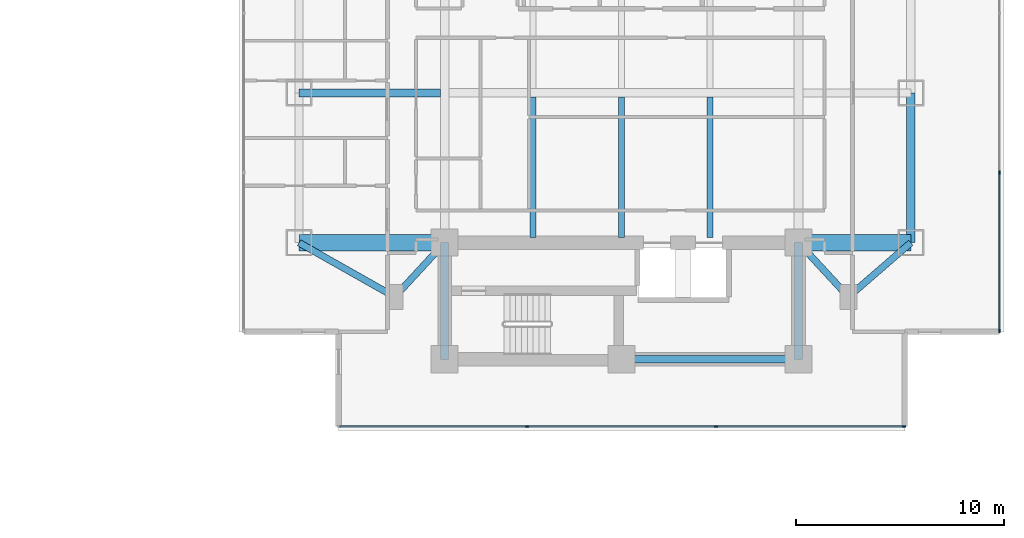
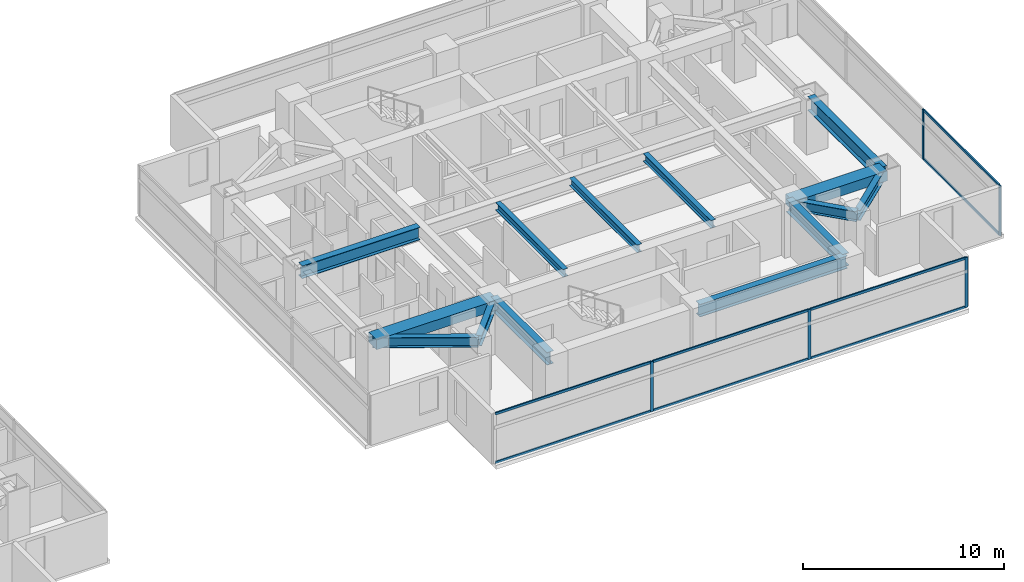
# One storey, part 8 of 24: 14 beams, 13 members, 2 elements without a shape of their own.
"""IFC4 building model written with IfcOpenShell, lengths in metres."""

from ifc_helpers import new_model, si_unit, direction, frame, origin, origin_2d, place, context, subcontext, project, spatial, rectangle, i_section, extrude, material, material_profile, profile_set, type_object, element, aggregate, save


model = new_model("IFC4")

# Units and contexts
model_context = context("Model", 3, precision=1e-05, world=origin(), true_north=direction((0.0, 1.0)))
body_context = subcontext(model_context, "Body", "Model", "MODEL_VIEW")
ifc_project = project(units=[si_unit("LENGTHUNIT", "METRE"), si_unit("AREAUNIT", "SQUARE_METRE"), si_unit("VOLUMEUNIT", "CUBIC_METRE"), si_unit("PLANEANGLEUNIT", "RADIAN"), si_unit("MASSUNIT", "GRAM", prefix="KILO")], contexts=[model_context])

# Site, building, storey
site_placement = place(None, origin())
site = spatial("IfcSite", under=ifc_project, at=site_placement, CompositionType="ELEMENT")
building_placement = place(site_placement, origin())
building = spatial("IfcBuilding", under=site, at=building_placement, Name="Mirazonda Arch Towers", CompositionType="ELEMENT")
storey_placement = place(building_placement, frame((0.0, 0.0, 62.0)))
storey = spatial("IfcBuildingStorey", under=building, at=storey_placement, Name="L17", CompositionType="ELEMENT", Elevation=62.0)

# Beams
ifc_material_1 = material(Name="Steel ASTM A992 Grade 50", Category="steel")
ifc_material_profile_1 = material_profile(ifc_material_1, i_section(OverallWidth=0.39990234375, OverallDepth=0.85595703125, WebThickness=0.018310546875, FlangeThickness=0.029296875, at=origin_2d()), Name="W33X201")
ifc_profile_set_1 = profile_set([ifc_material_profile_1], Name="Steel ASTM A992 Grade 50")
beam_type_1 = type_object("IfcBeamType", Name="BM-EXT-W33X201", PredefinedType="USERDEFINED", material=ifc_profile_set_1)
beam_1_placement = place(storey_placement, frame((90.39990234375, 20.800048828125, 2.632080078125), z_axis=(0.0, 1.0, 0.0), x_axis=(-1.0, 0.0, 0.0)))
element("IfcBeam", 1, at=beam_1_placement, inside=storey, type_object=beam_type_1, Name="L17 Floor Beam BM-T2-L17-NS-E-20", ObjectType="GIRDER", PredefinedType="USERDEFINED", context=body_context, shape_type="SweptSolid", body=[
    extrude(i_section(OverallWidth=0.39990234375, OverallDepth=0.85595703125, WebThickness=0.018310546875, FlangeThickness=0.029296875, at=origin_2d()), origin(), (0.0, 0.0, 1.0), 7.199951171875),
])
ifc_material_profile_2 = material_profile(ifc_material_1, i_section(OverallWidth=0.280029296875, OverallDepth=0.462890625, WebThickness=0.0107421875, FlangeThickness=0.017333984375, at=origin_2d()), Name="W18X76")
ifc_profile_set_2 = profile_set([ifc_material_profile_2], Name="Steel ASTM A992 Grade 50")
beam_type_2 = type_object("IfcBeamType", Name="BM-INT-W18X76", PredefinedType="JOIST", material=ifc_profile_set_2)
for number, where, z_axis, x_axis, name in (
    (2, (72.25, 21.0400390625, 2.82861328125), (0.0, 1.0, 0.0), (-1.0, 0.0, 0.0), "L17 Floor Beam BM-T2-L17-J-722-20"),
    (3, (76.5, 21.0400390625, 2.82861328125), (0.0, 1.0, 0.0), (-1.0, 0.0, 0.0), "L17 Floor Beam BM-T2-L17-J-765-20"),
    (4, (80.75, 21.0400390625, 2.82861328125), (0.0, 1.0, 0.0), (-1.0, 0.0, 0.0), "L17 Floor Beam BM-T2-L17-J-807-20"),
):
    element("IfcBeam", number, at=place(storey_placement, frame(where, z_axis=z_axis, x_axis=x_axis)), inside=storey, type_object=beam_type_2, Name=name, PredefinedType="JOIST", context=body_context, shape_type="SweptSolid", body=[
        extrude(i_section(OverallWidth=0.280029296875, OverallDepth=0.462890625, WebThickness=0.0107421875, FlangeThickness=0.017333984375, at=origin_2d()), origin(), (0.0, 0.0, 1.0), 6.7548828125),
    ])
ifc_material_profile_3 = material_profile(ifc_material_1, i_section(OverallWidth=0.324951171875, OverallDepth=0.615966796875, WebThickness=0.013916015625, FlangeThickness=0.021484375, at=origin_2d()), Name="W24X117")
ifc_profile_set_3 = profile_set([ifc_material_profile_3], Name="Steel ASTM A992 Grade 50")
beam_type_3 = type_object("IfcBeamType", Name="BM-INT-W24X117", PredefinedType="BEAM", material=ifc_profile_set_3)
beam_2_placement = place(storey_placement, frame((65.60009765625, 18.199951171875, 2.751953125), z_axis=(0.678251444854, 0.734829897019, 0.0), x_axis=(-0.734829897019, 0.678251444854, 0.0)))
element("IfcBeam", 5, at=beam_2_placement, inside=storey, type_object=beam_type_3, Name="L17 Floor Beam BM-T2-L17-PL-SW1", PredefinedType="BEAM", context=body_context, shape_type="SweptSolid", body=[
    extrude(i_section(OverallWidth=0.324951171875, OverallDepth=0.615966796875, WebThickness=0.013916015625, FlangeThickness=0.021484375, at=origin_2d()), origin(), (0.0, 0.0, 1.0), 3.538330078125),
])
beam_3_placement = place(storey_placement, frame((65.60009765625, 18.199951171875, 2.751953125), z_axis=(-0.870559396632, 0.492063346467, 0.0), x_axis=(-0.492063346467, -0.870559396632, 0.0)))
element("IfcBeam", 6, at=beam_3_placement, inside=storey, type_object=beam_type_3, Name="L17 Floor Beam BM-T2-L17-PL-SW2", PredefinedType="BEAM", context=body_context, shape_type="SweptSolid", body=[
    extrude(i_section(OverallWidth=0.324951171875, OverallDepth=0.615966796875, WebThickness=0.013916015625, FlangeThickness=0.021484375, at=origin_2d()), origin(), (0.0, 0.0, 1.0), 5.2841796875),
])
beam_4_placement = place(storey_placement, frame((87.39990234375, 18.199951171875, 2.751953125), z_axis=(-0.678251444854, 0.734829897019, 0.0), x_axis=(-0.734829897019, -0.678251444854, 0.0)))
element("IfcBeam", 7, at=beam_4_placement, inside=storey, type_object=beam_type_3, Name="L17 Floor Beam BM-T2-L17-PL-SE1", PredefinedType="BEAM", context=body_context, shape_type="SweptSolid", body=[
    extrude(i_section(OverallWidth=0.324951171875, OverallDepth=0.615966796875, WebThickness=0.013916015625, FlangeThickness=0.021484375, at=origin_2d()), origin(), (0.0, 0.0, 1.0), 3.538330078125),
])
beam_5_placement = place(storey_placement, frame((87.39990234375, 18.199951171875, 2.751953125), z_axis=(0.755676908098, 0.654944585876, 0.0), x_axis=(-0.654944585876, 0.755676908098, 0.0)))
element("IfcBeam", 8, at=beam_5_placement, inside=storey, type_object=beam_type_3, Name="L17 Floor Beam BM-T2-L17-PL-SE2", PredefinedType="BEAM", context=body_context, shape_type="SweptSolid", body=[
    extrude(i_section(OverallWidth=0.324951171875, OverallDepth=0.615966796875, WebThickness=0.013916015625, FlangeThickness=0.021484375, at=origin_2d()), origin(), (0.0, 0.0, 1.0), 3.969970703125),
])
ifc_material_profile_4 = material_profile(ifc_material_1, i_section(OverallWidth=0.381103515625, OverallDepth=0.77294921875, WebThickness=0.0166015625, FlangeThickness=0.027099609375, at=origin_2d()), Name="W30X173")
ifc_profile_set_4 = profile_set([ifc_material_profile_4], Name="Steel ASTM A992 Grade 50")
beam_type_4 = type_object("IfcBeamType", Name="BM-INT-W30X173", PredefinedType="USERDEFINED", material=ifc_profile_set_4)
beam_6_placement = place(storey_placement, frame((76.5, 15.199951171875, 2.673583984375), z_axis=(1.0, 0.0, 0.0), x_axis=(0.0, 1.0, 0.0)))
element("IfcBeam", 9, at=beam_6_placement, inside=storey, type_object=beam_type_4, Name="L17 Floor Beam BM-T2-L17-CS2", ObjectType="GIRDER", PredefinedType="USERDEFINED", context=body_context, shape_type="SweptSolid", body=[
    extrude(i_section(OverallWidth=0.381103515625, OverallDepth=0.77294921875, WebThickness=0.0166015625, FlangeThickness=0.027099609375, at=origin_2d()), origin(), (0.0, 0.0, 1.0), 8.5),
])
for number, where, z_axis, x_axis, name in (
    (10, (68.0, 15.199951171875, 2.673583984375), (0.0, 1.0, 0.0), (-1.0, 0.0, 0.0), "L17 Floor Beam BM-T2-L17-CSW"),
    (11, (85.0, 15.199951171875, 2.673583984375), (0.0, 1.0, 0.0), (-1.0, 0.0, 0.0), "L17 Floor Beam BM-T2-L17-CSE"),
):
    element("IfcBeam", number, at=place(storey_placement, frame(where, z_axis=z_axis, x_axis=x_axis)), inside=storey, type_object=beam_type_4, Name=name, ObjectType="GIRDER", PredefinedType="USERDEFINED", context=body_context, shape_type="SweptSolid", body=[
        extrude(i_section(OverallWidth=0.381103515625, OverallDepth=0.77294921875, WebThickness=0.0166015625, FlangeThickness=0.027099609375, at=origin_2d()), origin(), (0.0, 0.0, 1.0), 5.60009765625),
    ])
beam_7_placement = place(storey_placement, frame((61.0, 28.0, 2.673583984375), z_axis=(1.0, 0.0, 0.0), x_axis=(0.0, 1.0, 0.0)))
element("IfcBeam", 12, at=beam_7_placement, inside=storey, type_object=beam_type_4, Name="L17 Floor Beam BM-T2-L17-GW2", ObjectType="GIRDER", PredefinedType="USERDEFINED", context=body_context, shape_type="SweptSolid", body=[
    extrude(i_section(OverallWidth=0.381103515625, OverallDepth=0.77294921875, WebThickness=0.0166015625, FlangeThickness=0.027099609375, at=origin_2d()), origin(), (0.0, 0.0, 1.0), 6.791015625),
])
ifc_material_2 = material(Name="Concrete C60/75", Category="concrete")
ifc_material_profile_5 = material_profile(ifc_material_2, rectangle(XDim=0.800048828125, YDim=0.60009765625, at=origin_2d()), Name="RCCB800x600")
ifc_profile_set_5 = profile_set([ifc_material_profile_5], Name="Concrete C60/75")
beam_type_5 = type_object("IfcBeamType", Name="CB-INT-RCCB800x600", PredefinedType="SPANDREL", material=ifc_profile_set_5)
beam_8_placement = place(storey_placement, frame((61.0, 20.800048828125, 2.760009765625), z_axis=(1.0, 0.0, 0.0), x_axis=(0.0, 1.0, 0.0)))
element("IfcBeam", 13, at=beam_8_placement, inside=storey, type_object=beam_type_5, Name="L17 Floor Beam CBC-T2-L17-SW", PredefinedType="SPANDREL", context=body_context, shape_type="SweptSolid", body=[
    extrude(rectangle(XDim=0.800048828125, YDim=0.60009765625, at=origin_2d()), origin(), (0.0, 0.0, 1.0), 7.0),
])
beam_9_placement = place(storey_placement, frame((85.0, 20.800048828125, 2.760009765625), z_axis=(1.0, 0.0, 0.0), x_axis=(0.0, 1.0, 0.0)))
element("IfcBeam", 14, at=beam_9_placement, inside=storey, type_object=beam_type_5, Name="L17 Floor Beam CBC-T2-L17-SE", PredefinedType="SPANDREL", context=body_context, shape_type="SweptSolid", body=[
    extrude(rectangle(XDim=0.800048828125, YDim=0.60009765625, at=origin_2d()), origin(), (0.0, 0.0, 1.0), 5.39990234375),
])

# Curtain wall, members
ifc_material_3 = material(Name="Anodised Aluminium and Low-E Glass", Category="aluminium")
curtain_wall_type = type_object("IfcCurtainWallType", Name="CW-HTL-UNIT", PredefinedType="NOTDEFINED", material=ifc_material_3)
curtain_wall_1_placement = place(storey_placement, origin())
curtain_wall_1 = element("IfcCurtainWall", 15, at=curtain_wall_1_placement, inside=storey, type_object=curtain_wall_type, Name="L17 T2 S Facade CW-L17-T2-S", PredefinedType="NOTDEFINED")
ifc_material_4 = material(Name="Anodised Aluminium Alloy", Category="aluminium")
ifc_material_profile_6 = material_profile(ifc_material_4, rectangle(XDim=0.074951171875, YDim=0.1650390625, at=origin_2d()), Name="ALU-MULL-75x165")
ifc_profile_set_6 = profile_set([ifc_material_profile_6], Name="Anodised Aluminium Alloy")
member_type_1 = type_object("IfcMemberType", Name="MULL-CW-HTL-UNIT", PredefinedType="MULLION", material=ifc_profile_set_6)
member_1_placement = place(storey_placement, frame((90.070556640625, 11.97412109375, 0.0), z_axis=(0.0, 0.0, 1.0), x_axis=(0.0, -1.0, 0.0)))
member_1 = element("IfcMember", 16, at=member_1_placement, type_object=member_type_1, Name="CW-112 mullion 1", PredefinedType="MULLION", context=body_context, shape_type="SweptSolid", body=[
    extrude(rectangle(XDim=0.074951171875, YDim=0.1650390625, at=origin_2d()), origin(), (0.0, 0.0, 1.0), 3.0400390625),
])
member_2_placement = place(storey_placement, frame((81.035888671875, 11.97412109375, 0.0), z_axis=(0.0, 0.0, 1.0), x_axis=(0.0, -1.0, 0.0)))
member_2 = element("IfcMember", 17, at=member_2_placement, type_object=member_type_1, Name="CW-112 mullion 2", PredefinedType="MULLION", context=body_context, shape_type="SweptSolid", body=[
    extrude(rectangle(XDim=0.074951171875, YDim=0.1650390625, at=origin_2d()), origin(), (0.0, 0.0, 1.0), 3.0400390625),
])
member_3_placement = place(storey_placement, frame((71.964111328125, 11.97412109375, 0.0), z_axis=(0.0, 0.0, 1.0), x_axis=(0.0, -1.0, 0.0)))
member_3 = element("IfcMember", 18, at=member_3_placement, type_object=member_type_1, Name="CW-112 mullion 3", PredefinedType="MULLION", context=body_context, shape_type="SweptSolid", body=[
    extrude(rectangle(XDim=0.074951171875, YDim=0.1650390625, at=origin_2d()), origin(), (0.0, 0.0, 1.0), 3.0400390625),
])

curtain_wall_2_placement = place(storey_placement, origin())
curtain_wall_2 = element("IfcCurtainWall", 19, at=curtain_wall_2_placement, inside=storey, type_object=curtain_wall_type, Name="L17 T2 E Facade CW-L17-T2-E", PredefinedType="NOTDEFINED")
member_4_placement = place(storey_placement, frame((94.654052734375, 16.5576171875, 0.0), z_axis=(0.0, 0.0, 1.0), x_axis=(-1.0, 0.0, 0.0)))
member_4 = element("IfcMember", 20, at=member_4_placement, type_object=member_type_1, Name="CW-112 mullion 1", PredefinedType="MULLION", context=body_context, shape_type="SweptSolid", body=[
    extrude(rectangle(XDim=0.074951171875, YDim=0.1650390625, at=origin_2d()), origin(), (0.0, 0.0, 1.0), 3.0400390625),
])
member_5_placement = place(storey_placement, frame((94.654052734375, 24.17333984375, 0.0), z_axis=(0.0, 0.0, 1.0), x_axis=(-1.0, 0.0, 0.0)))
member_5 = element("IfcMember", 21, at=member_5_placement, type_object=member_type_1, Name="CW-112 mullion 2", PredefinedType="MULLION", context=body_context, shape_type="SweptSolid", body=[
    extrude(rectangle(XDim=0.074951171875, YDim=0.1650390625, at=origin_2d()), origin(), (0.0, 0.0, 1.0), 3.0400390625),
])

# Member
ifc_material_profile_7 = material_profile(ifc_material_4, rectangle(XDim=0.074951171875, YDim=0.14501953125, at=origin_2d()), Name="ALU-TRAN-75x145")
ifc_profile_set_7 = profile_set([ifc_material_profile_7], Name="Anodised Aluminium Alloy")
member_type_2 = type_object("IfcMemberType", Name="TRAN-CW-HTL-UNIT", PredefinedType="USERDEFINED", material=ifc_profile_set_7)
member_6_placement = place(storey_placement, frame((90.032958984375, 11.97412109375, 0.03759765625), z_axis=(-1.0, 0.0, 0.0), x_axis=(0.0, -1.0, 0.0)))
member_6 = element("IfcMember", 22, at=member_6_placement, type_object=member_type_2, Name="CW-112 transom 1.1", ObjectType="TRANSOM", PredefinedType="USERDEFINED", context=body_context, shape_type="SweptSolid", body=[
    extrude(rectangle(XDim=0.074951171875, YDim=0.14501953125, at=origin_2d()), origin(), (0.0, 0.0, 1.0), 8.95947265625),
])

member_7_placement = place(storey_placement, frame((90.032958984375, 11.97412109375, 3.00244140625), z_axis=(-1.0, 0.0, 0.0), x_axis=(0.0, -1.0, 0.0)))
member_7 = element("IfcMember", 23, at=member_7_placement, type_object=member_type_2, Name="CW-112 transom 1.2", ObjectType="TRANSOM", PredefinedType="USERDEFINED", context=body_context, shape_type="SweptSolid", body=[
    extrude(rectangle(XDim=0.074951171875, YDim=0.14501953125, at=origin_2d()), origin(), (0.0, 0.0, 1.0), 8.95947265625),
])

member_8_placement = place(storey_placement, frame((80.99853515625, 11.97412109375, 0.03759765625), z_axis=(-1.0, 0.0, 0.0), x_axis=(0.0, -1.0, 0.0)))
member_8 = element("IfcMember", 24, at=member_8_placement, type_object=member_type_2, Name="CW-112 transom 2.1", ObjectType="TRANSOM", PredefinedType="USERDEFINED", context=body_context, shape_type="SweptSolid", body=[
    extrude(rectangle(XDim=0.074951171875, YDim=0.14501953125, at=origin_2d()), origin(), (0.0, 0.0, 1.0), 8.9970703125),
])

member_9_placement = place(storey_placement, frame((80.99853515625, 11.97412109375, 3.00244140625), z_axis=(-1.0, 0.0, 0.0), x_axis=(0.0, -1.0, 0.0)))
member_9 = element("IfcMember", 25, at=member_9_placement, type_object=member_type_2, Name="CW-112 transom 2.2", ObjectType="TRANSOM", PredefinedType="USERDEFINED", context=body_context, shape_type="SweptSolid", body=[
    extrude(rectangle(XDim=0.074951171875, YDim=0.14501953125, at=origin_2d()), origin(), (0.0, 0.0, 1.0), 8.9970703125),
])

member_10_placement = place(storey_placement, frame((71.926513671875, 11.97412109375, 0.03759765625), z_axis=(-1.0, 0.0, 0.0), x_axis=(0.0, -1.0, 0.0)))
member_10 = element("IfcMember", 26, at=member_10_placement, type_object=member_type_2, Name="CW-112 transom 3.1", ObjectType="TRANSOM", PredefinedType="USERDEFINED", context=body_context, shape_type="SweptSolid", body=[
    extrude(rectangle(XDim=0.074951171875, YDim=0.14501953125, at=origin_2d()), origin(), (0.0, 0.0, 1.0), 8.95947265625),
])

member_11_placement = place(storey_placement, frame((71.926513671875, 11.97412109375, 3.00244140625), z_axis=(-1.0, 0.0, 0.0), x_axis=(0.0, -1.0, 0.0)))
member_11 = element("IfcMember", 27, at=member_11_placement, type_object=member_type_2, Name="CW-112 transom 3.2", ObjectType="TRANSOM", PredefinedType="USERDEFINED", context=body_context, shape_type="SweptSolid", body=[
    extrude(rectangle(XDim=0.074951171875, YDim=0.14501953125, at=origin_2d()), origin(), (0.0, 0.0, 1.0), 8.95947265625),
])

aggregate(curtain_wall_1, [member_1, member_2, member_3, member_6, member_7, member_8, member_9, member_10, member_11])

member_12_placement = place(storey_placement, frame((94.654052734375, 16.59521484375, 0.03759765625), z_axis=(0.0, 1.0, 0.0), x_axis=(-1.0, 0.0, 0.0)))
member_12 = element("IfcMember", 28, at=member_12_placement, type_object=member_type_2, Name="CW-112 transom 1.1", ObjectType="TRANSOM", PredefinedType="USERDEFINED", context=body_context, shape_type="SweptSolid", body=[
    extrude(rectangle(XDim=0.074951171875, YDim=0.14501953125, at=origin_2d()), origin(), (0.0, 0.0, 1.0), 7.540771484375),
])

member_13_placement = place(storey_placement, frame((94.654052734375, 16.59521484375, 3.00244140625), z_axis=(0.0, 1.0, 0.0), x_axis=(-1.0, 0.0, 0.0)))
member_13 = element("IfcMember", 29, at=member_13_placement, type_object=member_type_2, Name="CW-112 transom 1.2", ObjectType="TRANSOM", PredefinedType="USERDEFINED", context=body_context, shape_type="SweptSolid", body=[
    extrude(rectangle(XDim=0.074951171875, YDim=0.14501953125, at=origin_2d()), origin(), (0.0, 0.0, 1.0), 7.540771484375),
])

aggregate(curtain_wall_2, [member_4, member_5, member_12, member_13])

save(model, "model.ifc")
